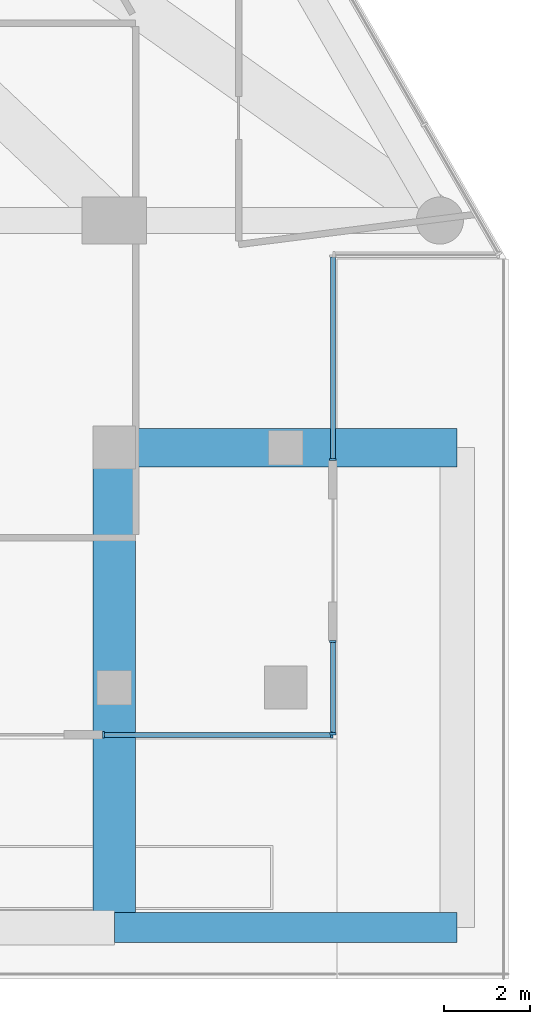
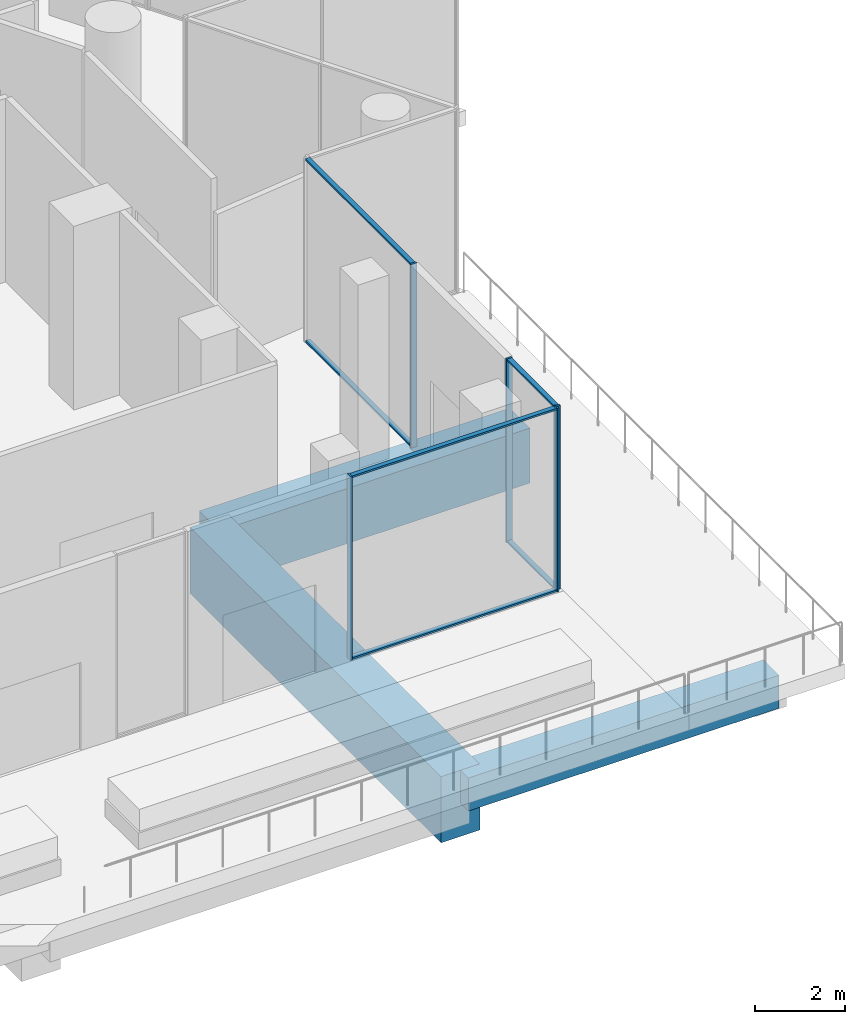
# One storey, part 7 of 29: 11 members, 3 beams, 3 elements without a shape of their own.
"""IFC4 building model written with IfcOpenShell, lengths in metres."""

import ifcopenshell
import ifcopenshell.guid

model = None  # the IFC model being written
_history = None  # IfcOwnerHistory: only IFC2X3 demands one
_inside = {}  # id of a spatial element -> (the spatial element, [elements in it])
_under = {}  # id of a project, library or spatial element -> (it, [spatial elements below it])
_declared = {}  # id of a project -> (the project, [libraries it declares])
_typed = {}  # id of a type object -> (the type object, [elements of that type])
_made_of = {}  # id of a material, layer set ... -> (it, [elements and type objects made of it])


def new_model(schema):
    """Start an empty IFC model of exactly this schema.

    Asked for "IFC4X3", IfcOpenShell would pick the latest addendum, in which some entities
    have other attributes; the version numbers below select the first issue.
    IFC2X3 requires an IfcOwnerHistory on every rooted entity: one is made here for all.
    """
    global model, _history
    if schema == "IFC4X3":
        model = ifcopenshell.file(schema_version=(4, 3, 0, 0))
    else:
        model = ifcopenshell.file(schema=schema)
    _inside.clear()
    _under.clear()
    _declared.clear()
    _typed.clear()
    _made_of.clear()
    _history = None
    if model.schema == "IFC2X3":
        org = make("IfcOrganization", Name="unknown")
        user = make(
            "IfcPersonAndOrganization",
            ThePerson=make("IfcPerson", FamilyName="unknown"),
            TheOrganization=org,
        )
        app = make(
            "IfcApplication",
            ApplicationDeveloper=org,
            Version="unknown",
            ApplicationFullName="unknown",
            ApplicationIdentifier="unknown",
        )
        _history = make(
            "IfcOwnerHistory",
            OwningUser=user,
            OwningApplication=app,
            ChangeAction="ADDED",
            CreationDate=0,
        )
    return model


def make(cls, **values):
    """One entity of the class cls with the attributes given. An attribute that is None is left unset."""
    return model.create_entity(
        cls, **{name: value for name, value in values.items() if value is not None}
    )


def rooted(cls, **values):
    """An entity with a GlobalId (a new one), such as an element, a storey or a relation."""
    return make(cls, GlobalId=ifcopenshell.guid.new(), OwnerHistory=_history, **values)


def si_unit(unit_type, name, prefix=None):
    """IfcSIUnit, for example si_unit("LENGTHUNIT", "METRE", prefix="MILLI")."""
    return make("IfcSIUnit", UnitType=unit_type, Prefix=prefix, Name=name)


def assignment(units):
    """IfcUnitAssignment: the units of a project."""
    return None if units is None else make("IfcUnitAssignment", Units=units)


def point(xyz):
    """IfcCartesianPoint."""
    return None if xyz is None else make("IfcCartesianPoint", Coordinates=xyz)


def direction(xyz):
    """IfcDirection."""
    return None if xyz is None else make("IfcDirection", DirectionRatios=xyz)


def frame(location, z_axis=None, x_axis=None):
    """IfcAxis2Placement3D, a coordinate frame: its origin and axes. An axis left out is left unset."""
    return make(
        "IfcAxis2Placement3D",
        Location=point(location),
        Axis=direction(z_axis),
        RefDirection=direction(x_axis),
    )


def frame_2d(location, x_axis=None):
    """IfcAxis2Placement2D, a coordinate frame in the plane: its origin and x axis."""
    return make(
        "IfcAxis2Placement2D", Location=point(location), RefDirection=direction(x_axis)
    )


def origin():
    """The frame at (0, 0, 0) with its axes left unset."""
    return frame((0.0, 0.0, 0.0))


def origin_2d():
    """The frame at (0, 0) in the plane with its x axis left unset."""
    return frame_2d((0.0, 0.0))


def place(relative_to, where):
    """IfcLocalPlacement: puts the frame where relative to a parent placement (None: the world)."""
    return make(
        "IfcLocalPlacement", PlacementRelTo=relative_to, RelativePlacement=where
    )


def context(
    kind, dimensions, precision=None, world=None, true_north=None, identifier=None
):
    """IfcGeometricRepresentationContext, for example the 3D "Model" context."""
    return make(
        "IfcGeometricRepresentationContext",
        ContextIdentifier=identifier,
        ContextType=kind,
        CoordinateSpaceDimension=dimensions,
        Precision=precision,
        WorldCoordinateSystem=world,
        TrueNorth=true_north,
    )


def subcontext(parent, identifier, kind, view, scale=None):
    """IfcGeometricRepresentationSubContext, for example "Body" below "Model"."""
    return make(
        "IfcGeometricRepresentationSubContext",
        ContextIdentifier=identifier,
        ContextType=kind,
        ParentContext=parent,
        TargetScale=scale,
        TargetView=view,
    )


def project(units=None, contexts=None):
    """IfcProject with its units and contexts."""
    return rooted(
        "IfcProject",
        Name="project",
        RepresentationContexts=contexts,
        UnitsInContext=assignment(units),
    )


def spatial(cls, under=None, at=None, **own):
    """A site, building, storey or space (cls), placed at a placement, below another one or the project."""
    s = rooted(cls, ObjectPlacement=at, **own)
    if under is not None:
        _under.setdefault(under.id(), (under, []))[1].append(s)
    return s


def profile(cls, at=None, kind="AREA", **sizes):
    """A parametric profile (cls). Its sizes go by their IFC names, for example OverallWidth=200.0."""
    return make(cls, ProfileType=kind, Position=at, **sizes)


def rectangle(**sizes):
    """IfcRectangleProfileDef."""
    return profile("IfcRectangleProfileDef", **sizes)


def extrude(swept, where, along, depth):
    """IfcExtrudedAreaSolid: the profile swept, set in the frame where, extruded along a direction by depth."""
    return make(
        "IfcExtrudedAreaSolid",
        SweptArea=swept,
        Position=where,
        ExtrudedDirection=direction(along),
        Depth=depth,
    )


def shape(context_of_items, identifier, shape_type, items):
    """IfcShapeRepresentation: the items that make up one representation, for example the "Body"."""
    return make(
        "IfcShapeRepresentation",
        ContextOfItems=context_of_items,
        RepresentationIdentifier=identifier,
        RepresentationType=shape_type,
        Items=items,
    )


def material(Name=None, Category=None):
    """IfcMaterial."""
    return make("IfcMaterial", Name=Name, Category=Category)


def layer(
    of_material, thickness, ventilated=None, Name=None, Category=None, Priority=None
):
    """IfcMaterialLayer: one layer of a wall or slab, of a material (None: an air gap)."""
    return make(
        "IfcMaterialLayer",
        Material=of_material,
        LayerThickness=thickness,
        IsVentilated=ventilated,
        Name=Name,
        Category=Category,
        Priority=Priority,
    )


def layer_set(layers, Name=None):
    """IfcMaterialLayerSet."""
    return make("IfcMaterialLayerSet", MaterialLayers=layers, LayerSetName=Name)


def material_profile(
    of_material, cross_section, Name=None, Category=None, Priority=None
):
    """IfcMaterialProfile: a cross section and its material."""
    return make(
        "IfcMaterialProfile",
        Name=Name,
        Material=of_material,
        Profile=cross_section,
        Priority=Priority,
        Category=Category,
    )


def profile_set(profiles, Name=None, composite=None):
    """IfcMaterialProfileSet."""
    return make(
        "IfcMaterialProfileSet",
        Name=Name,
        MaterialProfiles=profiles,
        CompositeProfile=composite,
    )


def made_of(thing, what):
    """Note that an element or type object is made of a material, layer set ...; save() writes the relation."""
    if what is not None:
        _made_of.setdefault(what.id(), (what, []))[1].append(thing)
    return thing


def type_object(cls, material=None, **own):
    """A type object (cls), such as IfcWallType, which elements share."""
    return made_of(rooted(cls, **own), material)


def element(
    cls,
    number,
    at=None,
    inside=None,
    cuts=None,
    type_object=None,
    material=None,
    context=None,
    identifier="Body",
    shape_type=None,
    held_by="IfcProductDefinitionShape",
    body=None,
    shapes=None,
    **own,
):
    """One element of the class cls, such as IfcWall. Its Tag is "e" and its number.

    at: its placement. inside: the storey or other place that contains it. cuts: it is an
    opening in that element (IfcRelVoidsElement). A single representation is given by context,
    identifier, shape_type and body (its items); several are given by shapes. held_by: the class
    of the entity that holds the representations. save() writes the other relations.
    """
    e = rooted(cls, Tag="e%d" % number, ObjectPlacement=at, **own)
    if body is not None:
        shapes = [shape(context, identifier, shape_type, body)]
    if shapes is not None:
        e.Representation = make(held_by, Representations=shapes)
    if inside is not None:
        _inside.setdefault(inside.id(), (inside, []))[1].append(e)
    if cuts is not None:
        rooted(
            "IfcRelVoidsElement", RelatingBuildingElement=cuts, RelatedOpeningElement=e
        )
    if type_object is not None:
        _typed.setdefault(type_object.id(), (type_object, []))[1].append(e)
    return made_of(e, material)


def aggregate(whole, parts):
    """IfcRelAggregates: a whole, such as a stair, and the parts it consists of."""
    return rooted("IfcRelAggregates", RelatingObject=whole, RelatedObjects=parts)


def save(model, path):
    """Write the relations noted so far, then the file.

    IfcRelAggregates (storeys below a building ...), IfcRelContainedInSpatialStructure (elements
    in a storey), IfcRelDefinesByType, IfcRelAssociatesMaterial and IfcRelDeclares: one each for
    every whole, place, type object, material and project.
    """
    for whole, parts in _under.values():
        aggregate(whole, parts)
    for where, things in _inside.values():
        rooted(
            "IfcRelContainedInSpatialStructure",
            RelatedElements=things,
            RelatingStructure=where,
        )
    for kind, things in _typed.values():
        rooted("IfcRelDefinesByType", RelatedObjects=things, RelatingType=kind)
    for what, things in _made_of.values():
        rooted("IfcRelAssociatesMaterial", RelatedObjects=things, RelatingMaterial=what)
    for by, libraries in _declared.values():
        rooted("IfcRelDeclares", RelatingContext=by, RelatedDefinitions=libraries)
    model.write(path)


model = new_model("IFC4")

# Units and contexts
model_context = context("Model", 3, precision=1e-05, world=origin(), true_north=direction((0.0, 1.0)))
body_context = subcontext(model_context, "Body", "Model", "MODEL_VIEW")
ifc_project = project(units=[si_unit("LENGTHUNIT", "METRE"), si_unit("AREAUNIT", "SQUARE_METRE"), si_unit("VOLUMEUNIT", "CUBIC_METRE"), si_unit("PLANEANGLEUNIT", "RADIAN"), si_unit("MASSUNIT", "GRAM", prefix="KILO")], contexts=[model_context])

# Site, building, storey
site_placement = place(None, origin())
site = spatial("IfcSite", under=ifc_project, at=site_placement, CompositionType="ELEMENT")
building_placement = place(site_placement, origin())
building = spatial("IfcBuilding", under=site, at=building_placement, Name="Triada Interchange Tower", CompositionType="ELEMENT")
storey_placement = place(building_placement, frame((0.0, 0.0, 19.89990234375)))
storey = spatial("IfcBuildingStorey", under=building, at=storey_placement, Name="L03", CompositionType="ELEMENT", Elevation=19.89990234375)

# Curtain wall, members
ifc_material_1 = material(Name="Aluminium framed glazing", Category="aluminium")
ifc_layer = layer(ifc_material_1, 0.199951171875)
ifc_layer_set = layer_set([ifc_layer], Name="Curtain wall Retail shopfront")
curtain_wall_type = type_object("IfcCurtainWallType", Name="Curtain wall Retail shopfront", PredefinedType="NOTDEFINED", material=ifc_layer_set)
curtain_wall_1_placement = place(storey_placement, origin())
curtain_wall_1 = element("IfcCurtainWall", 1, at=curtain_wall_1_placement, inside=storey, type_object=curtain_wall_type, Name="Retail shopfront CW007 L03", PredefinedType="NOTDEFINED")
ifc_material_2 = material(Name="Aluminium", Category="aluminium")
ifc_material_profile_1 = material_profile(ifc_material_2, rectangle(XDim=0.14990234375, YDim=0.050048828125, at=origin_2d()), Name="Aluminium mullion")
ifc_profile_set_1 = profile_set([ifc_material_profile_1], Name="Aluminium")
member_type_1 = type_object("IfcMemberType", Name="Mullion Retail shopfront 150x50", PredefinedType="MULLION", material=ifc_profile_set_1)
member_1_placement = place(storey_placement, frame((22.550048828125, -33.60009765625, 0.0), z_axis=(0.0, 0.0, 1.0), x_axis=(0.0, 1.0, 0.0)))
member_1 = element("IfcMember", 2, at=member_1_placement, type_object=member_type_1, Name="CW007 mullion 1", PredefinedType="MULLION", context=body_context, shape_type="SweptSolid", body=[
    extrude(rectangle(XDim=0.14990234375, YDim=0.050048828125, at=origin_2d()), origin(), (0.0, 0.0, 1.0), 5.0),
])
member_2_placement = place(storey_placement, frame((27.875, -33.60009765625, 0.0), z_axis=(0.0, 0.0, 1.0), x_axis=(0.0, 1.0, 0.0)))
member_2 = element("IfcMember", 3, at=member_2_placement, type_object=member_type_1, Name="CW007 mullion 2", PredefinedType="MULLION", context=body_context, shape_type="SweptSolid", body=[
    extrude(rectangle(XDim=0.14990234375, YDim=0.050048828125, at=origin_2d()), origin(), (0.0, 0.0, 1.0), 5.0),
])

curtain_wall_2_placement = place(storey_placement, origin())
curtain_wall_2 = element("IfcCurtainWall", 4, at=curtain_wall_2_placement, inside=storey, type_object=curtain_wall_type, Name="Retail shopfront CW008 L03", PredefinedType="NOTDEFINED")
member_3_placement = place(storey_placement, frame((27.89990234375, -33.574951171875, 0.0), z_axis=(0.0, 0.0, 1.0), x_axis=(-1.0, 0.0, 0.0)))
member_3 = element("IfcMember", 5, at=member_3_placement, type_object=member_type_1, Name="CW008 mullion 1", PredefinedType="MULLION", context=body_context, shape_type="SweptSolid", body=[
    extrude(rectangle(XDim=0.14990234375, YDim=0.050048828125, at=origin_2d()), origin(), (0.0, 0.0, 1.0), 5.0),
])
member_4_placement = place(storey_placement, frame((27.89990234375, -31.425048828125, 0.0), z_axis=(0.0, 0.0, 1.0), x_axis=(-1.0, 0.0, 0.0)))
member_4 = element("IfcMember", 6, at=member_4_placement, type_object=member_type_1, Name="CW008 mullion 2", PredefinedType="MULLION", context=body_context, shape_type="SweptSolid", body=[
    extrude(rectangle(XDim=0.14990234375, YDim=0.050048828125, at=origin_2d()), origin(), (0.0, 0.0, 1.0), 5.0),
])

# Curtain wall, member
curtain_wall_3_placement = place(storey_placement, origin())
curtain_wall_3 = element("IfcCurtainWall", 7, at=curtain_wall_3_placement, inside=storey, type_object=curtain_wall_type, Name="Retail shopfront CW009 L03", PredefinedType="NOTDEFINED")
member_5_placement = place(storey_placement, frame((27.89990234375, -27.175048828125, 0.0), z_axis=(0.0, 0.0, 1.0), x_axis=(-1.0, 0.0, 0.0)))
member_5 = element("IfcMember", 8, at=member_5_placement, type_object=member_type_1, Name="CW009 mullion 1", PredefinedType="MULLION", context=body_context, shape_type="SweptSolid", body=[
    extrude(rectangle(XDim=0.14990234375, YDim=0.050048828125, at=origin_2d()), origin(), (0.0, 0.0, 1.0), 5.0),
])

# Beams
ifc_material_3 = material(Name="Concrete C40/50", Category="concrete")
ifc_material_profile_2 = material_profile(ifc_material_3, rectangle(XDim=0.699951171875, YDim=0.89990234375, at=origin_2d()), Name="RC 700x900")
ifc_profile_set_2 = profile_set([ifc_material_profile_2], Name="Concrete C40/50")
beam_type_1 = type_object("IfcBeamType", Name="Terrace beam RC 700x900", PredefinedType="BEAM", material=ifc_profile_set_2)
beam_1_placement = place(storey_placement, frame((30.800048828125, -38.10009765625, -0.849853515625), z_axis=(-1.0, 0.0, 0.0), x_axis=(0.0, -1.0, 0.0)))
element("IfcBeam", 9, at=beam_1_placement, inside=storey, type_object=beam_type_1, Name="Terrace beam TE03 L03", PredefinedType="BEAM", context=body_context, shape_type="SweptSolid", body=[
    extrude(rectangle(XDim=0.699951171875, YDim=0.89990234375, at=origin_2d()), origin(), (0.0, 0.0, 1.0), 8.0),
])
ifc_material_4 = material(Name="Concrete C50/60", Category="concrete")
ifc_material_profile_3 = material_profile(ifc_material_4, rectangle(XDim=1.0, YDim=1.800048828125, at=origin_2d()), Name="RC 1000x1800")
ifc_profile_set_3 = profile_set([ifc_material_profile_3], Name="Concrete C50/60")
beam_type_2 = type_object("IfcBeamType", Name="Transfer girder RC 1000x1800", PredefinedType="BEAM", material=ifc_profile_set_3)
beam_2_placement = place(storey_placement, frame((22.800048828125, -38.10009765625, -1.2998046875), z_axis=(0.0, 1.0, 0.0), x_axis=(-1.0, 0.0, 0.0)))
element("IfcBeam", 10, at=beam_2_placement, inside=storey, type_object=beam_type_2, Name="Transfer girder TG08 L03", PredefinedType="BEAM", context=body_context, shape_type="SweptSolid", body=[
    extrude(rectangle(XDim=1.0, YDim=1.800048828125, at=origin_2d()), origin(), (0.0, 0.0, 1.0), 11.2001953125),
])
ifc_material_profile_4 = material_profile(ifc_material_4, rectangle(XDim=0.89990234375, YDim=1.5, at=origin_2d()), Name="RC 900x1500")
ifc_profile_set_4 = profile_set([ifc_material_profile_4], Name="Concrete C50/60")
beam_type_3 = type_object("IfcBeamType", Name="Transfer girder RC 900x1500", PredefinedType="BEAM", material=ifc_profile_set_4)
beam_3_placement = place(storey_placement, frame((30.800048828125, -26.89990234375, -1.14990234375), z_axis=(-1.0, 0.0, 0.0), x_axis=(0.0, -1.0, 0.0)))
element("IfcBeam", 11, at=beam_3_placement, inside=storey, type_object=beam_type_3, Name="Transfer girder TG02 L03", PredefinedType="BEAM", context=body_context, shape_type="SweptSolid", body=[
    extrude(rectangle(XDim=0.89990234375, YDim=1.5, at=origin_2d()), origin(), (0.0, 0.0, 1.0), 8.0),
])

# Member
ifc_material_profile_5 = material_profile(ifc_material_2, rectangle(XDim=0.1201171875, YDim=0.050048828125, at=origin_2d()), Name="Aluminium transom")
ifc_profile_set_5 = profile_set([ifc_material_profile_5], Name="Aluminium")
member_type_2 = type_object("IfcMemberType", Name="Transom Retail shopfront 120x50", PredefinedType="USERDEFINED", material=ifc_profile_set_5)
member_6_placement = place(storey_placement, frame((22.574951171875, -33.60009765625, 0.025146484375), z_axis=(1.0, 0.0, 0.0), x_axis=(0.0, 1.0, 0.0)))
member_6 = element("IfcMember", 12, at=member_6_placement, type_object=member_type_2, Name="CW007 transom 1.1", ObjectType="TRANSOM", PredefinedType="USERDEFINED", context=body_context, shape_type="SweptSolid", body=[
    extrude(rectangle(XDim=0.1201171875, YDim=0.050048828125, at=origin_2d()), origin(), (0.0, 0.0, 1.0), 5.275146484375),
])

member_7_placement = place(storey_placement, frame((22.574951171875, -33.60009765625, 4.97509765625), z_axis=(1.0, 0.0, 0.0), x_axis=(0.0, 1.0, 0.0)))
member_7 = element("IfcMember", 13, at=member_7_placement, type_object=member_type_2, Name="CW007 transom 1.2", ObjectType="TRANSOM", PredefinedType="USERDEFINED", context=body_context, shape_type="SweptSolid", body=[
    extrude(rectangle(XDim=0.1201171875, YDim=0.050048828125, at=origin_2d()), origin(), (0.0, 0.0, 1.0), 5.275146484375),
])

aggregate(curtain_wall_1, [member_1, member_2, member_6, member_7])

member_8_placement = place(storey_placement, frame((27.89990234375, -33.550048828125, 0.025146484375), z_axis=(0.0, 1.0, 0.0), x_axis=(-1.0, 0.0, 0.0)))
member_8 = element("IfcMember", 14, at=member_8_placement, type_object=member_type_2, Name="CW008 transom 1.1", ObjectType="TRANSOM", PredefinedType="USERDEFINED", context=body_context, shape_type="SweptSolid", body=[
    extrude(rectangle(XDim=0.1201171875, YDim=0.050048828125, at=origin_2d()), origin(), (0.0, 0.0, 1.0), 2.10009765625),
])

member_9_placement = place(storey_placement, frame((27.89990234375, -33.550048828125, 4.97509765625), z_axis=(0.0, 1.0, 0.0), x_axis=(-1.0, 0.0, 0.0)))
member_9 = element("IfcMember", 15, at=member_9_placement, type_object=member_type_2, Name="CW008 transom 1.2", ObjectType="TRANSOM", PredefinedType="USERDEFINED", context=body_context, shape_type="SweptSolid", body=[
    extrude(rectangle(XDim=0.1201171875, YDim=0.050048828125, at=origin_2d()), origin(), (0.0, 0.0, 1.0), 2.10009765625),
])

aggregate(curtain_wall_2, [member_3, member_4, member_8, member_9])

member_10_placement = place(storey_placement, frame((27.89990234375, -27.14990234375, 0.025146484375), z_axis=(0.0, 1.0, 0.0), x_axis=(-1.0, 0.0, 0.0)))
member_10 = element("IfcMember", 16, at=member_10_placement, type_object=member_type_2, Name="CW009 transom 1.1", ObjectType="TRANSOM", PredefinedType="USERDEFINED", context=body_context, shape_type="SweptSolid", body=[
    extrude(rectangle(XDim=0.1201171875, YDim=0.050048828125, at=origin_2d()), origin(), (0.0, 0.0, 1.0), 4.699951171875),
])

member_11_placement = place(storey_placement, frame((27.89990234375, -27.14990234375, 4.97509765625), z_axis=(0.0, 1.0, 0.0), x_axis=(-1.0, 0.0, 0.0)))
member_11 = element("IfcMember", 17, at=member_11_placement, type_object=member_type_2, Name="CW009 transom 1.2", ObjectType="TRANSOM", PredefinedType="USERDEFINED", context=body_context, shape_type="SweptSolid", body=[
    extrude(rectangle(XDim=0.1201171875, YDim=0.050048828125, at=origin_2d()), origin(), (0.0, 0.0, 1.0), 4.699951171875),
])

aggregate(curtain_wall_3, [member_5, member_10, member_11])

save(model, "model.ifc")
